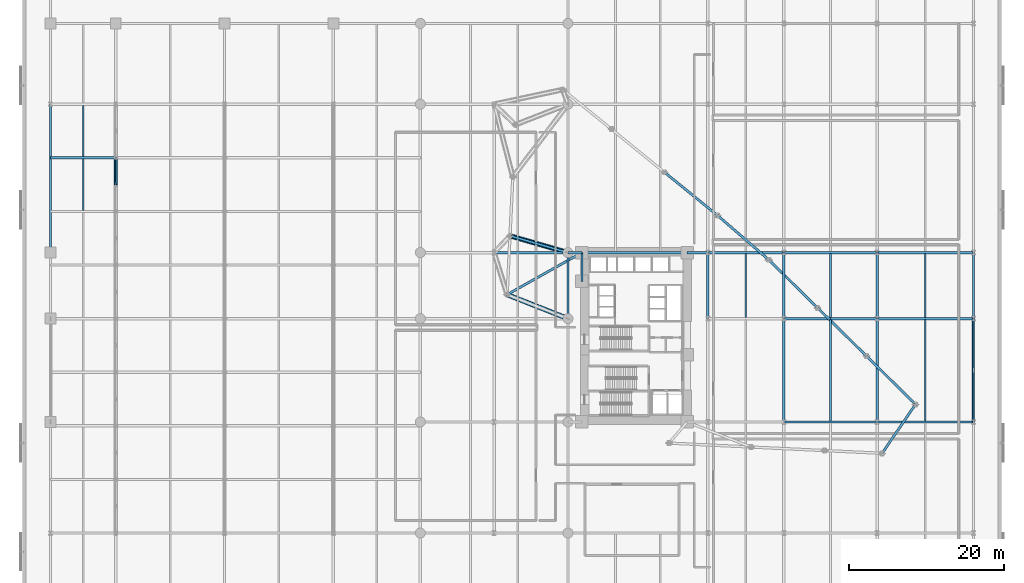
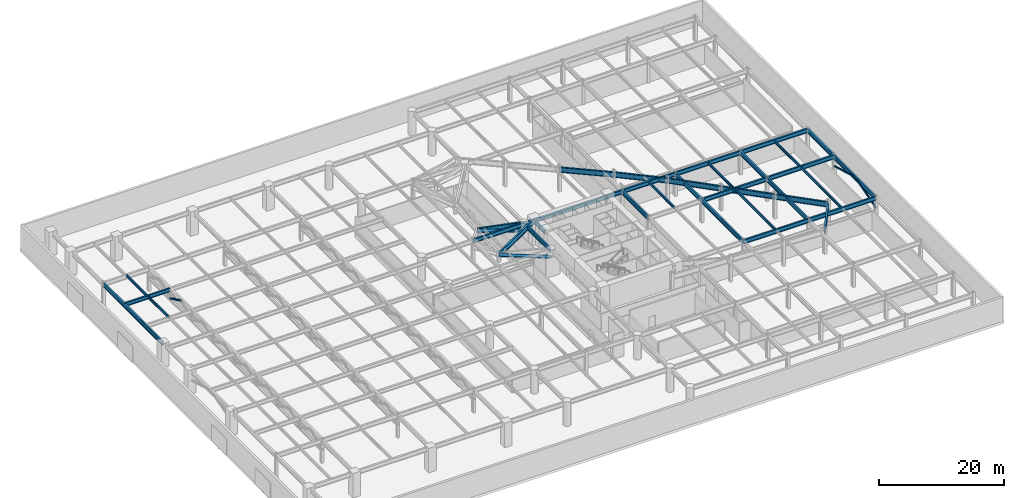
# One storey, part 18 of 40: 37 beams, 5 members.
"""IFC4 building model written with IfcOpenShell, lengths in metres."""

from ifc_helpers import new_model, si_unit, direction, frame, origin, origin_2d, place, context, subcontext, project, spatial, hollow_circle, i_section, extrude, material, material_profile, profile_set, type_object, element, save


model = new_model("IFC4")

# Units and contexts
model_context = context("Model", 3, precision=1e-05, world=origin(), true_north=direction((0.0, 1.0)))
body_context = subcontext(model_context, "Body", "Model", "MODEL_VIEW")
ifc_project = project(units=[si_unit("LENGTHUNIT", "METRE"), si_unit("AREAUNIT", "SQUARE_METRE"), si_unit("VOLUMEUNIT", "CUBIC_METRE"), si_unit("PLANEANGLEUNIT", "RADIAN"), si_unit("MASSUNIT", "GRAM", prefix="KILO")], contexts=[model_context])

# Site, building, storey
site_placement = place(None, origin())
site = spatial("IfcSite", under=ifc_project, at=site_placement, CompositionType="ELEMENT")
building_placement = place(site_placement, origin())
building = spatial("IfcBuilding", under=site, at=building_placement, Name="Narakoshi Arena Tower", CompositionType="ELEMENT")
storey_placement = place(building_placement, frame((0.0, 0.0, 21.60009765625)))
storey = spatial("IfcBuildingStorey", under=building, at=storey_placement, Name="L05", CompositionType="ELEMENT", Elevation=21.60009765625)

# Beams
ifc_material_1 = material(Name="Structural steel S355J2", Category="steel")
ifc_material_profile_1 = material_profile(ifc_material_1, i_section(OverallWidth=0.300048828125, OverallDepth=0.699951171875, WebThickness=0.01708984375, FlangeThickness=0.031982421875, FilletRadius=0.027099609375, at=origin_2d()), Name="HE700B")
ifc_profile_set_1 = profile_set([ifc_material_profile_1], Name="Structural steel S355J2")
beam_type_1 = type_object("IfcBeamType", Name="BM-PRI-700", PredefinedType="BEAM", material=ifc_profile_set_1)
beam_1_placement = place(storey_placement, frame((3.60009765625, 68.699951171875, 4.429931640625), z_axis=(1.0, 0.0, 0.0), x_axis=(0.0, 1.0, 0.0)))
element("IfcBeam", 1, at=beam_1_placement, inside=storey, type_object=beam_type_1, Name="L05 Arena Roof Transverse Girder 7-3", PredefinedType="BEAM", context=body_context, shape_type="SweptSolid", body=[
    extrude(i_section(OverallWidth=0.300048828125, OverallDepth=0.699951171875, WebThickness=0.01708984375, FlangeThickness=0.031982421875, FilletRadius=0.027099609375, at=origin_2d()), origin(), (0.0, 0.0, 1.0), 8.2548828125),
])
ifc_material_2 = material(Name="Structural steel S460ML", Category="steel")
ifc_material_profile_2 = material_profile(ifc_material_2, i_section(OverallWidth=0.300048828125, OverallDepth=0.800048828125, WebThickness=0.017578125, FlangeThickness=0.032958984375, FilletRadius=0.030029296875, at=origin_2d()), Name="HE800B")
ifc_profile_set_2 = profile_set([ifc_material_profile_2], Name="Structural steel S460ML")
beam_type_2 = type_object("IfcBeamType", Name="BM-PRI-800", PredefinedType="BEAM", material=ifc_profile_set_2)
beam_2_placement = place(storey_placement, frame((98.0, 34.699951171875, 4.199951171875), z_axis=(1.0, 0.0, 0.0), x_axis=(0.0, 1.0, 0.0)))
element("IfcBeam", 2, at=beam_2_placement, inside=storey, type_object=beam_type_2, Name="L05 Podium Primary X-Girder 029", PredefinedType="BEAM", context=body_context, shape_type="SweptSolid", body=[
    extrude(i_section(OverallWidth=0.300048828125, OverallDepth=0.800048828125, WebThickness=0.017578125, FlangeThickness=0.032958984375, FilletRadius=0.030029296875, at=origin_2d()), origin(), (0.0, 0.0, 1.0), 12.0),
])
beam_3_placement = place(storey_placement, frame((110.0, 34.699951171875, 4.199951171875), z_axis=(1.0, 0.0, 0.0), x_axis=(0.0, 1.0, 0.0)))
element("IfcBeam", 3, at=beam_3_placement, inside=storey, type_object=beam_type_2, Name="L05 Podium Primary X-Girder 030", PredefinedType="BEAM", context=body_context, shape_type="SweptSolid", body=[
    extrude(i_section(OverallWidth=0.300048828125, OverallDepth=0.800048828125, WebThickness=0.017578125, FlangeThickness=0.032958984375, FilletRadius=0.030029296875, at=origin_2d()), origin(), (0.0, 0.0, 1.0), 12.39990234375),
])
beam_4_placement = place(storey_placement, frame((98.0, 48.0, 4.199951171875), z_axis=(1.0, 0.0, 0.0), x_axis=(0.0, 1.0, 0.0)))
element("IfcBeam", 4, at=beam_4_placement, inside=storey, type_object=beam_type_2, Name="L05 Podium Primary X-Girder 033", PredefinedType="BEAM", context=body_context, shape_type="SweptSolid", body=[
    extrude(i_section(OverallWidth=0.300048828125, OverallDepth=0.800048828125, WebThickness=0.017578125, FlangeThickness=0.032958984375, FilletRadius=0.030029296875, at=origin_2d()), origin(), (0.0, 0.0, 1.0), 12.0),
])
beam_5_placement = place(storey_placement, frame((110.0, 48.0, 4.199951171875), z_axis=(1.0, 0.0, 0.0), x_axis=(0.0, 1.0, 0.0)))
element("IfcBeam", 5, at=beam_5_placement, inside=storey, type_object=beam_type_2, Name="L05 Podium Primary X-Girder 034", PredefinedType="BEAM", context=body_context, shape_type="SweptSolid", body=[
    extrude(i_section(OverallWidth=0.300048828125, OverallDepth=0.800048828125, WebThickness=0.017578125, FlangeThickness=0.032958984375, FilletRadius=0.030029296875, at=origin_2d()), origin(), (0.0, 0.0, 1.0), 12.39990234375),
])
beam_6_placement = place(storey_placement, frame((60.699951171875, 56.5, 4.199951171875), z_axis=(1.0, 0.0, 0.0), x_axis=(0.0, 1.0, 0.0)))
element("IfcBeam", 6, at=beam_6_placement, inside=storey, type_object=beam_type_2, Name="L05 Podium Primary X-Girder 036", PredefinedType="BEAM", context=body_context, shape_type="SweptSolid", body=[
    extrude(i_section(OverallWidth=0.300048828125, OverallDepth=0.800048828125, WebThickness=0.017578125, FlangeThickness=0.032958984375, FilletRadius=0.030029296875, at=origin_2d()), origin(), (0.0, 0.0, 1.0), 9.5),
])
beam_7_placement = place(storey_placement, frame((70.199951171875, 56.5, 4.199951171875), z_axis=(1.0, 0.0, 0.0), x_axis=(0.0, 1.0, 0.0)))
element("IfcBeam", 7, at=beam_7_placement, inside=storey, type_object=beam_type_2, Name="L05 Podium Primary X-Girder 037", PredefinedType="BEAM", context=body_context, shape_type="SweptSolid", body=[
    extrude(i_section(OverallWidth=0.300048828125, OverallDepth=0.800048828125, WebThickness=0.017578125, FlangeThickness=0.032958984375, FilletRadius=0.030029296875, at=origin_2d()), origin(), (0.0, 0.0, 1.0), 1.800048828125),
])
beam_8_placement = place(storey_placement, frame((72.0, 56.5, 4.199951171875), z_axis=(1.0, 0.0, 0.0), x_axis=(0.0, 1.0, 0.0)))
element("IfcBeam", 8, at=beam_8_placement, inside=storey, type_object=beam_type_2, Name="L05 Podium Primary X-Girder 038", PredefinedType="BEAM", context=body_context, shape_type="SweptSolid", body=[
    extrude(i_section(OverallWidth=0.300048828125, OverallDepth=0.800048828125, WebThickness=0.017578125, FlangeThickness=0.032958984375, FilletRadius=0.030029296875, at=origin_2d()), origin(), (0.0, 0.0, 1.0), 13.550048828125),
])
beam_9_placement = place(storey_placement, frame((85.550048828125, 56.5, 4.199951171875), z_axis=(1.0, 0.0, 0.0), x_axis=(0.0, 1.0, 0.0)))
element("IfcBeam", 9, at=beam_9_placement, inside=storey, type_object=beam_type_2, Name="L05 Podium Primary X-Girder 039", PredefinedType="BEAM", context=body_context, shape_type="SweptSolid", body=[
    extrude(i_section(OverallWidth=0.300048828125, OverallDepth=0.800048828125, WebThickness=0.017578125, FlangeThickness=0.032958984375, FilletRadius=0.030029296875, at=origin_2d()), origin(), (0.0, 0.0, 1.0), 2.64990234375),
])
beam_10_placement = place(storey_placement, frame((88.199951171875, 56.5, 4.199951171875), z_axis=(1.0, 0.0, 0.0), x_axis=(0.0, 1.0, 0.0)))
element("IfcBeam", 10, at=beam_10_placement, inside=storey, type_object=beam_type_2, Name="L05 Podium Primary X-Girder 040", PredefinedType="BEAM", context=body_context, shape_type="SweptSolid", body=[
    extrude(i_section(OverallWidth=0.300048828125, OverallDepth=0.800048828125, WebThickness=0.017578125, FlangeThickness=0.032958984375, FilletRadius=0.030029296875, at=origin_2d()), origin(), (0.0, 0.0, 1.0), 9.800048828125),
])
beam_11_placement = place(storey_placement, frame((98.0, 56.5, 4.199951171875), z_axis=(1.0, 0.0, 0.0), x_axis=(0.0, 1.0, 0.0)))
element("IfcBeam", 11, at=beam_11_placement, inside=storey, type_object=beam_type_2, Name="L05 Podium Primary X-Girder 041", PredefinedType="BEAM", context=body_context, shape_type="SweptSolid", body=[
    extrude(i_section(OverallWidth=0.300048828125, OverallDepth=0.800048828125, WebThickness=0.017578125, FlangeThickness=0.032958984375, FilletRadius=0.030029296875, at=origin_2d()), origin(), (0.0, 0.0, 1.0), 12.0),
])
beam_12_placement = place(storey_placement, frame((110.0, 56.5, 4.199951171875), z_axis=(1.0, 0.0, 0.0), x_axis=(0.0, 1.0, 0.0)))
element("IfcBeam", 12, at=beam_12_placement, inside=storey, type_object=beam_type_2, Name="L05 Podium Primary X-Girder 042", PredefinedType="BEAM", context=body_context, shape_type="SweptSolid", body=[
    extrude(i_section(OverallWidth=0.300048828125, OverallDepth=0.800048828125, WebThickness=0.017578125, FlangeThickness=0.032958984375, FilletRadius=0.030029296875, at=origin_2d()), origin(), (0.0, 0.0, 1.0), 12.39990234375),
])
beam_13_placement = place(storey_placement, frame((3.60009765625, 56.5, 4.199951171875), z_axis=(0.0, 1.0, 0.0), x_axis=(-1.0, 0.0, 0.0)))
element("IfcBeam", 13, at=beam_13_placement, inside=storey, type_object=beam_type_2, Name="L05 Podium Primary Y-Girder 071", PredefinedType="BEAM", context=body_context, shape_type="SweptSolid", body=[
    extrude(i_section(OverallWidth=0.300048828125, OverallDepth=0.800048828125, WebThickness=0.017578125, FlangeThickness=0.032958984375, FilletRadius=0.030029296875, at=origin_2d()), origin(), (0.0, 0.0, 1.0), 19.10009765625),
])
beam_14_placement = place(storey_placement, frame((70.199951171875, 48.0, 4.199951171875), z_axis=(0.0, 1.0, 0.0), x_axis=(-1.0, 0.0, 0.0)))
element("IfcBeam", 14, at=beam_14_placement, inside=storey, type_object=beam_type_2, Name="L05 Podium Primary Y-Girder 093", PredefinedType="BEAM", context=body_context, shape_type="SweptSolid", body=[
    extrude(i_section(OverallWidth=0.300048828125, OverallDepth=0.800048828125, WebThickness=0.017578125, FlangeThickness=0.032958984375, FilletRadius=0.030029296875, at=origin_2d()), origin(), (0.0, 0.0, 1.0), 8.5),
])
beam_15_placement = place(storey_placement, frame((72.0, 52.800048828125, 4.199951171875), z_axis=(0.0, 1.0, 0.0), x_axis=(-1.0, 0.0, 0.0)))
element("IfcBeam", 15, at=beam_15_placement, inside=storey, type_object=beam_type_2, Name="L05 Podium Primary Y-Girder 097", PredefinedType="BEAM", context=body_context, shape_type="SweptSolid", body=[
    extrude(i_section(OverallWidth=0.300048828125, OverallDepth=0.800048828125, WebThickness=0.017578125, FlangeThickness=0.032958984375, FilletRadius=0.030029296875, at=origin_2d()), origin(), (0.0, 0.0, 1.0), 3.699951171875),
])
beam_16_placement = place(storey_placement, frame((88.199951171875, 48.0, 4.199951171875), z_axis=(0.0, 1.0, 0.0), x_axis=(-1.0, 0.0, 0.0)))
element("IfcBeam", 16, at=beam_16_placement, inside=storey, type_object=beam_type_2, Name="L05 Podium Primary Y-Girder 102", PredefinedType="BEAM", context=body_context, shape_type="SweptSolid", body=[
    extrude(i_section(OverallWidth=0.300048828125, OverallDepth=0.800048828125, WebThickness=0.017578125, FlangeThickness=0.032958984375, FilletRadius=0.030029296875, at=origin_2d()), origin(), (0.0, 0.0, 1.0), 8.5),
])
beam_17_placement = place(storey_placement, frame((98.0, 34.699951171875, 4.199951171875), z_axis=(0.0, 1.0, 0.0), x_axis=(-1.0, 0.0, 0.0)))
element("IfcBeam", 17, at=beam_17_placement, inside=storey, type_object=beam_type_2, Name="L05 Podium Primary Y-Girder 109", PredefinedType="BEAM", context=body_context, shape_type="SweptSolid", body=[
    extrude(i_section(OverallWidth=0.300048828125, OverallDepth=0.800048828125, WebThickness=0.017578125, FlangeThickness=0.032958984375, FilletRadius=0.030029296875, at=origin_2d()), origin(), (0.0, 0.0, 1.0), 13.300048828125),
])
beam_18_placement = place(storey_placement, frame((98.0, 48.0, 4.199951171875), z_axis=(0.0, 1.0, 0.0), x_axis=(-1.0, 0.0, 0.0)))
element("IfcBeam", 18, at=beam_18_placement, inside=storey, type_object=beam_type_2, Name="L05 Podium Primary Y-Girder 110", PredefinedType="BEAM", context=body_context, shape_type="SweptSolid", body=[
    extrude(i_section(OverallWidth=0.300048828125, OverallDepth=0.800048828125, WebThickness=0.017578125, FlangeThickness=0.032958984375, FilletRadius=0.030029296875, at=origin_2d()), origin(), (0.0, 0.0, 1.0), 8.5),
])
beam_19_placement = place(storey_placement, frame((110.0, 34.699951171875, 4.199951171875), z_axis=(0.0, 1.0, 0.0), x_axis=(-1.0, 0.0, 0.0)))
element("IfcBeam", 19, at=beam_19_placement, inside=storey, type_object=beam_type_2, Name="L05 Podium Primary Y-Girder 117", PredefinedType="BEAM", context=body_context, shape_type="SweptSolid", body=[
    extrude(i_section(OverallWidth=0.300048828125, OverallDepth=0.800048828125, WebThickness=0.017578125, FlangeThickness=0.032958984375, FilletRadius=0.030029296875, at=origin_2d()), origin(), (0.0, 0.0, 1.0), 13.300048828125),
])
beam_20_placement = place(storey_placement, frame((110.0, 48.0, 4.199951171875), z_axis=(0.0, 1.0, 0.0), x_axis=(-1.0, 0.0, 0.0)))
element("IfcBeam", 20, at=beam_20_placement, inside=storey, type_object=beam_type_2, Name="L05 Podium Primary Y-Girder 118", PredefinedType="BEAM", context=body_context, shape_type="SweptSolid", body=[
    extrude(i_section(OverallWidth=0.300048828125, OverallDepth=0.800048828125, WebThickness=0.017578125, FlangeThickness=0.032958984375, FilletRadius=0.030029296875, at=origin_2d()), origin(), (0.0, 0.0, 1.0), 8.5),
])
beam_21_placement = place(storey_placement, frame((122.39990234375, 34.699951171875, 4.199951171875), z_axis=(0.0, 1.0, 0.0), x_axis=(-1.0, 0.0, 0.0)))
element("IfcBeam", 21, at=beam_21_placement, inside=storey, type_object=beam_type_2, Name="L05 Podium Primary Y-Girder 125", PredefinedType="BEAM", context=body_context, shape_type="SweptSolid", body=[
    extrude(i_section(OverallWidth=0.300048828125, OverallDepth=0.800048828125, WebThickness=0.017578125, FlangeThickness=0.032958984375, FilletRadius=0.030029296875, at=origin_2d()), origin(), (0.0, 0.0, 1.0), 13.300048828125),
])
beam_22_placement = place(storey_placement, frame((122.39990234375, 48.0, 4.199951171875), z_axis=(0.0, 1.0, 0.0), x_axis=(-1.0, 0.0, 0.0)))
element("IfcBeam", 22, at=beam_22_placement, inside=storey, type_object=beam_type_2, Name="L05 Podium Primary Y-Girder 126", PredefinedType="BEAM", context=body_context, shape_type="SweptSolid", body=[
    extrude(i_section(OverallWidth=0.300048828125, OverallDepth=0.800048828125, WebThickness=0.017578125, FlangeThickness=0.032958984375, FilletRadius=0.030029296875, at=origin_2d()), origin(), (0.0, 0.0, 1.0), 8.5),
])
ifc_material_profile_3 = material_profile(ifc_material_1, i_section(OverallWidth=0.199951171875, OverallDepth=0.5, WebThickness=0.01025390625, FlangeThickness=0.01611328125, FilletRadius=0.02099609375, at=origin_2d()), Name="IPE500")
ifc_profile_set_3 = profile_set([ifc_material_profile_3], Name="Structural steel S355J2")
beam_type_3 = type_object("IfcBeamType", Name="BM-SEC-500", PredefinedType="JOIST", material=ifc_profile_set_3)
beam_23_placement = place(storey_placement, frame((93.10009765625, 48.135009765625, 4.349853515625), z_axis=(0.0, 1.0, 0.0), x_axis=(-1.0, 0.0, 0.0)))
element("IfcBeam", 23, at=beam_23_placement, inside=storey, type_object=beam_type_3, Name="L05 Podium Composite Floor Joist 035", PredefinedType="JOIST", context=body_context, shape_type="SweptSolid", body=[
    extrude(i_section(OverallWidth=0.199951171875, OverallDepth=0.5, WebThickness=0.01025390625, FlangeThickness=0.01611328125, FilletRadius=0.02099609375, at=origin_2d()), origin(), (0.0, 0.0, 1.0), 8.22998046875),
])
beam_24_placement = place(storey_placement, frame((104.0, 34.8349609375, 4.349853515625), z_axis=(0.0, 1.0, 0.0), x_axis=(-1.0, 0.0, 0.0)))
element("IfcBeam", 24, at=beam_24_placement, inside=storey, type_object=beam_type_3, Name="L05 Podium Composite Floor Joist 042", PredefinedType="JOIST", context=body_context, shape_type="SweptSolid", body=[
    extrude(i_section(OverallWidth=0.199951171875, OverallDepth=0.5, WebThickness=0.01025390625, FlangeThickness=0.01611328125, FilletRadius=0.02099609375, at=origin_2d()), origin(), (0.0, 0.0, 1.0), 13.030029296875),
])
beam_25_placement = place(storey_placement, frame((104.0, 48.135009765625, 4.349853515625), z_axis=(0.0, 1.0, 0.0), x_axis=(-1.0, 0.0, 0.0)))
element("IfcBeam", 25, at=beam_25_placement, inside=storey, type_object=beam_type_3, Name="L05 Podium Composite Floor Joist 043", PredefinedType="JOIST", context=body_context, shape_type="SweptSolid", body=[
    extrude(i_section(OverallWidth=0.199951171875, OverallDepth=0.5, WebThickness=0.01025390625, FlangeThickness=0.01611328125, FilletRadius=0.02099609375, at=origin_2d()), origin(), (0.0, 0.0, 1.0), 8.22998046875),
])
beam_26_placement = place(storey_placement, frame((116.199951171875, 34.8349609375, 4.349853515625), z_axis=(0.0, 1.0, 0.0), x_axis=(-1.0, 0.0, 0.0)))
element("IfcBeam", 26, at=beam_26_placement, inside=storey, type_object=beam_type_3, Name="L05 Podium Composite Floor Joist 050", PredefinedType="JOIST", context=body_context, shape_type="SweptSolid", body=[
    extrude(i_section(OverallWidth=0.199951171875, OverallDepth=0.5, WebThickness=0.01025390625, FlangeThickness=0.01611328125, FilletRadius=0.02099609375, at=origin_2d()), origin(), (0.0, 0.0, 1.0), 13.030029296875),
])
beam_27_placement = place(storey_placement, frame((116.199951171875, 48.135009765625, 4.349853515625), z_axis=(0.0, 1.0, 0.0), x_axis=(-1.0, 0.0, 0.0)))
element("IfcBeam", 27, at=beam_27_placement, inside=storey, type_object=beam_type_3, Name="L05 Podium Composite Floor Joist 051", PredefinedType="JOIST", context=body_context, shape_type="SweptSolid", body=[
    extrude(i_section(OverallWidth=0.199951171875, OverallDepth=0.5, WebThickness=0.01025390625, FlangeThickness=0.01611328125, FilletRadius=0.02099609375, at=origin_2d()), origin(), (0.0, 0.0, 1.0), 8.22998046875),
])
beam_28_placement = place(storey_placement, frame((7.800048828125, 61.945068359375, 4.52978515625), z_axis=(0.0, 1.0, 0.0), x_axis=(-1.0, 0.0, 0.0)))
element("IfcBeam", 28, at=beam_28_placement, inside=storey, type_object=beam_type_3, Name="L05 Arena Roof Secondary Joist 3-7", PredefinedType="JOIST", context=body_context, shape_type="SweptSolid", body=[
    extrude(i_section(OverallWidth=0.199951171875, OverallDepth=0.5, WebThickness=0.01025390625, FlangeThickness=0.01611328125, FilletRadius=0.02099609375, at=origin_2d()), origin(), (0.0, 0.0, 1.0), 6.60986328125),
])
beam_29_placement = place(storey_placement, frame((7.800048828125, 68.844970703125, 4.52978515625), z_axis=(0.0, 1.0, 0.0), x_axis=(-1.0, 0.0, 0.0)))
element("IfcBeam", 29, at=beam_29_placement, inside=storey, type_object=beam_type_3, Name="L05 Arena Roof Secondary Joist 3-8", PredefinedType="JOIST", context=body_context, shape_type="SweptSolid", body=[
    extrude(i_section(OverallWidth=0.199951171875, OverallDepth=0.5, WebThickness=0.01025390625, FlangeThickness=0.01611328125, FilletRadius=0.02099609375, at=origin_2d()), origin(), (0.0, 0.0, 1.0), 6.610107421875),
])
ifc_material_profile_4 = material_profile(ifc_material_2, i_section(OverallWidth=0.302001953125, OverallDepth=1.008056640625, WebThickness=0.02099609375, FlangeThickness=0.0400390625, FilletRadius=0.030029296875, at=origin_2d()), Name="HE1000M")
ifc_profile_set_4 = profile_set([ifc_material_profile_4], Name="Structural steel S460ML")
beam_type_4 = type_object("IfcBeamType", Name="BM-XFER-1000", PredefinedType="BEAM", material=ifc_profile_set_4)
beam_30_placement = place(storey_placement, frame((70.199951171875, 56.5, 4.19580078125), z_axis=(-0.960565369448, 0.278054259126, 0.0), x_axis=(-0.278054259126, -0.960565369448, 0.0)))
element("IfcBeam", 30, at=beam_30_placement, inside=storey, type_object=beam_type_4, Name="L05 Tower Radial Transfer Girder 15-E", PredefinedType="BEAM", context=body_context, shape_type="SweptSolid", body=[
    extrude(i_section(OverallWidth=0.302001953125, OverallDepth=1.008056640625, WebThickness=0.02099609375, FlangeThickness=0.0400390625, FilletRadius=0.030029296875, at=origin_2d()), origin(), (0.0, 0.0, 1.0), 7.764404296875),
])
beam_31_placement = place(storey_placement, frame((72.0, 56.5, 4.19580078125), z_axis=(-0.871662939974, -0.490105824364, 0.0), x_axis=(0.490105824364, -0.871662939974, 0.0)))
element("IfcBeam", 31, at=beam_31_placement, inside=storey, type_object=beam_type_4, Name="L05 LEGB Wall Transfer Bed Girder 1", PredefinedType="BEAM", context=body_context, shape_type="SweptSolid", body=[
    extrude(i_section(OverallWidth=0.302001953125, OverallDepth=1.008056640625, WebThickness=0.02099609375, FlangeThickness=0.0400390625, FilletRadius=0.030029296875, at=origin_2d()), origin(), (0.0, 0.0, 1.0), 11.038818359375),
])
beam_32_placement = place(storey_placement, frame((110.636474609375, 30.661865234375, 4.19580078125), z_axis=(0.563755333308, 0.825941840668, 0.0), x_axis=(-0.825941840668, 0.563755333308, 0.0)))
element("IfcBeam", 32, at=beam_32_placement, inside=storey, type_object=beam_type_4, Name="L05 Tower Base Transfer Ring Girder 04", PredefinedType="BEAM", context=body_context, shape_type="SweptSolid", body=[
    extrude(i_section(OverallWidth=0.302001953125, OverallDepth=1.008056640625, WebThickness=0.02099609375, FlangeThickness=0.0400390625, FilletRadius=0.030029296875, at=origin_2d()), origin(), (0.0, 0.0, 1.0), 7.637451171875),
])
for number, where, z_axis, x_axis, name in (
    (33, (114.942138671875, 36.969970703125, 4.19580078125), (-0.712540689328, 0.70163079041, 0.0), (-0.70163079041, -0.712540689328, 0.0), "L05 Tower Base Transfer Ring Girder 05"),
    (34, (108.643798828125, 43.171875, 4.19580078125), (-0.712540689328, 0.70163079041, 0.0), (-0.70163079041, -0.712540689328, 0.0), "L05 Tower Base Transfer Ring Girder 06"),
    (35, (102.345458984375, 49.373779296875, 4.19580078125), (-0.712540689328, 0.70163079041, 0.0), (-0.70163079041, -0.712540689328, 0.0), "L05 Tower Base Transfer Ring Girder 07"),
):
    element("IfcBeam", number, at=place(storey_placement, frame(where, z_axis=z_axis, x_axis=x_axis)), inside=storey, type_object=beam_type_4, Name=name, PredefinedType="BEAM", context=body_context, shape_type="SweptSolid", body=[
        extrude(i_section(OverallWidth=0.302001953125, OverallDepth=1.008056640625, WebThickness=0.02099609375, FlangeThickness=0.0400390625, FilletRadius=0.030029296875, at=origin_2d()), origin(), (0.0, 0.0, 1.0), 8.83935546875),
    ])
beam_33_placement = place(storey_placement, frame((96.047119140625, 55.57568359375, 4.19580078125), z_axis=(-0.755666904752, 0.654956127586, 0.0), x_axis=(-0.654956127586, -0.755666904752, 0.0)))
element("IfcBeam", 36, at=beam_33_placement, inside=storey, type_object=beam_type_4, Name="L05 Tower Base Transfer Ring Girder 08", PredefinedType="BEAM", context=body_context, shape_type="SweptSolid", body=[
    extrude(i_section(OverallWidth=0.302001953125, OverallDepth=1.008056640625, WebThickness=0.02099609375, FlangeThickness=0.0400390625, FilletRadius=0.030029296875, at=origin_2d()), origin(), (0.0, 0.0, 1.0), 8.71728515625),
])
beam_34_placement = place(storey_placement, frame((89.459716796875, 61.28515625, 4.19580078125), z_axis=(-0.776011365227, 0.630718923958, 0.0), x_axis=(-0.630718923958, -0.776011365227, 0.0)))
element("IfcBeam", 37, at=beam_34_placement, inside=storey, type_object=beam_type_4, Name="L05 Tower Base Transfer Ring Girder 09", PredefinedType="BEAM", context=body_context, shape_type="SweptSolid", body=[
    extrude(i_section(OverallWidth=0.302001953125, OverallDepth=1.008056640625, WebThickness=0.02099609375, FlangeThickness=0.0400390625, FilletRadius=0.030029296875, at=origin_2d()), origin(), (0.0, 0.0, 1.0), 8.804931640625),
])

# Members
ifc_material_profile_5 = material_profile(ifc_material_2, hollow_circle(Radius=0.203125, WallThickness=0.01611328125, at=origin_2d()), Name="CHS406x16")
ifc_profile_set_5 = profile_set([ifc_material_profile_5], Name="Structural steel S460ML")
member_type_1 = type_object("IfcMemberType", Name="MEM-ARN-406", PredefinedType="CHORD", material=ifc_profile_set_5)
member_1_placement = place(storey_placement, frame((12.0, 65.25, 4.324951171875), z_axis=(0.0, 0.904667753866, -0.426117654075), x_axis=(-1.0, 0.0, 0.0)))
element("IfcMember", 38, at=member_1_placement, inside=storey, type_object=member_type_1, Name="L05 Arena Roof Truss 1 Web Diagonal 7B", PredefinedType="CHORD", context=body_context, shape_type="SweptSolid", body=[
    extrude(hollow_circle(Radius=0.203125, WallThickness=0.01611328125, at=origin_2d()), origin(), (0.0, 0.0, 1.0), 3.8134765625),
])
ifc_material_profile_6 = material_profile(ifc_material_1, hollow_circle(Radius=0.161865234375, WallThickness=0.012451171875, at=origin_2d()), Name="CHS323x12")
ifc_profile_set_6 = profile_set([ifc_material_profile_6], Name="Structural steel S355J2")
member_type_2 = type_object("IfcMemberType", Name="MEM-BR-323", PredefinedType="BRACE", material=ifc_profile_set_6)
member_2_placement = place(storey_placement, frame((122.39990234375, 34.699951171875, 2.39990234375), z_axis=(0.0, 0.961529275721, 0.274702478933), x_axis=(-1.0, 0.0, 0.0)))
element("IfcMember", 39, at=member_2_placement, inside=storey, type_object=member_type_2, Name="L05 Podium Lateral Brace 2A", PredefinedType="BRACE", context=body_context, shape_type="SweptSolid", body=[
    extrude(hollow_circle(Radius=0.161865234375, WallThickness=0.012451171875, at=origin_2d()), origin(), (0.0, 0.0, 1.0), 6.916259765625),
])
member_3_placement = place(storey_placement, frame((122.39990234375, 48.0, 2.39990234375), z_axis=(0.0, -0.961526611816, 0.274711803112), x_axis=(1.0, 0.0, 0.0)))
element("IfcMember", 40, at=member_3_placement, inside=storey, type_object=member_type_2, Name="L05 Podium Lateral Brace 2B", PredefinedType="BRACE", context=body_context, shape_type="SweptSolid", body=[
    extrude(hollow_circle(Radius=0.161865234375, WallThickness=0.012451171875, at=origin_2d()), origin(), (0.0, 0.0, 1.0), 6.916015625),
])
ifc_material_profile_7 = material_profile(ifc_material_2, hollow_circle(Radius=0.304931640625, WallThickness=0.02490234375, at=origin_2d()), Name="CHS610x25")
ifc_profile_set_7 = profile_set([ifc_material_profile_7], Name="Structural steel S460ML")
member_type_3 = type_object("IfcMemberType", Name="MEM-OUT-610", PredefinedType="BRACE", material=ifc_profile_set_7)
member_4_placement = place(storey_placement, frame((70.199951171875, 56.5, 2.949951171875), z_axis=(-0.94843373675, 0.274542522966, 0.158429322028), x_axis=(-0.278054259126, -0.960565369448, 0.0)))
element("IfcMember", 41, at=member_4_placement, inside=storey, type_object=member_type_3, Name="L05 Tower Transfer Strut Diagonal 15-E", PredefinedType="BRACE", context=body_context, shape_type="SweptSolid", body=[
    extrude(hollow_circle(Radius=0.304931640625, WallThickness=0.02490234375, at=origin_2d()), origin(), (0.0, 0.0, 1.0), 7.86376953125),
])
member_5_placement = place(storey_placement, frame((70.199951171875, 48.0, 2.949951171875), z_axis=(-0.920025853366, 0.363427297987, 0.146536781102), x_axis=(-0.3673932262, -0.930065705928, 0.0)))
element("IfcMember", 42, at=member_5_placement, inside=storey, type_object=member_type_3, Name="L05 Tower Transfer Strut Diagonal 16-E", PredefinedType="BRACE", context=body_context, shape_type="SweptSolid", body=[
    extrude(hollow_circle(Radius=0.304931640625, WallThickness=0.02490234375, at=origin_2d()), origin(), (0.0, 0.0, 1.0), 8.501953125),
])

save(model, "model.ifc")
